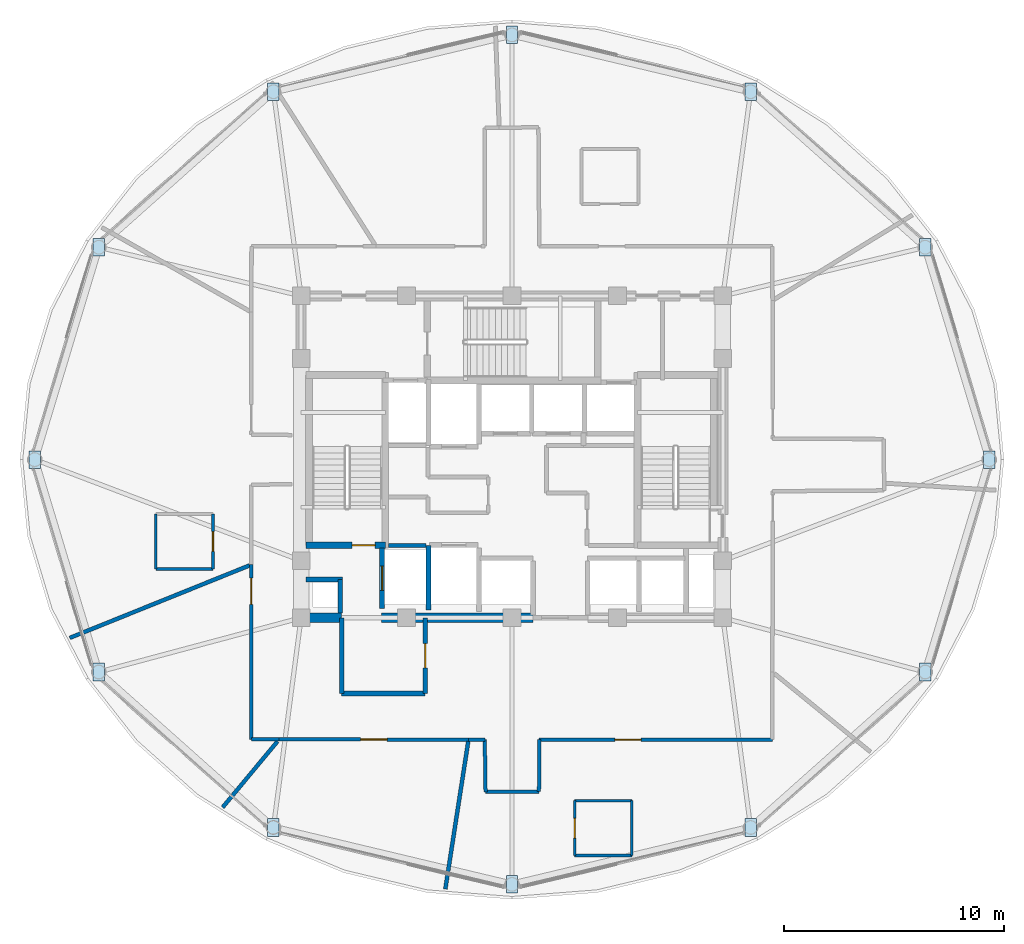
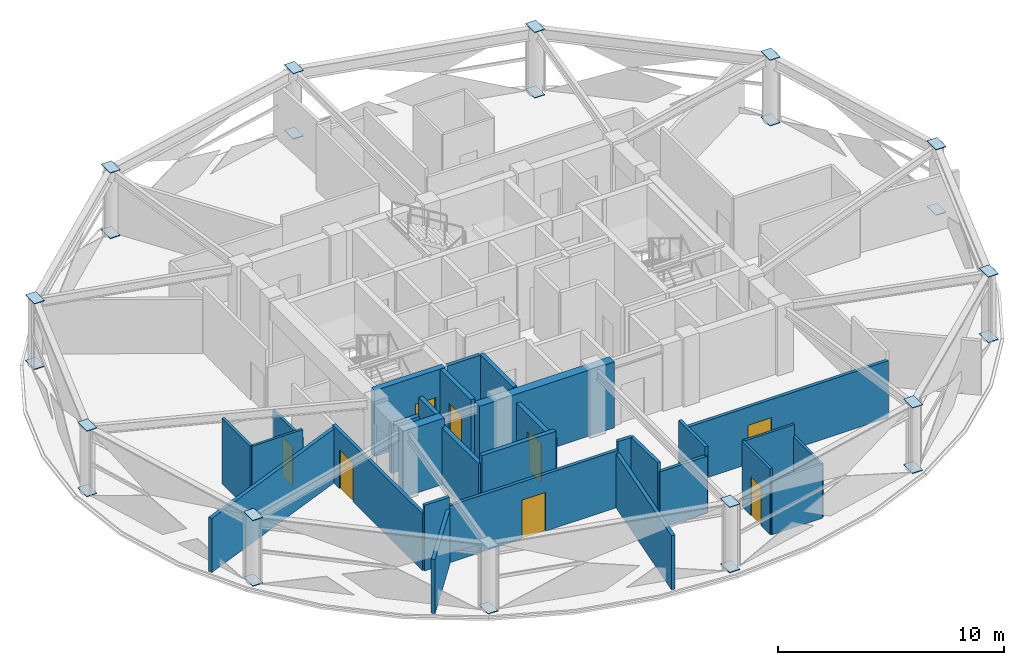
# One storey, part 21 of 28: 29 walls, 23 plates, 8 doors, 8 openings.
"""IFC4 building model written with IfcOpenShell, lengths in metres."""

from ifc_helpers import new_model, si_unit, direction, frame, frame_2d, origin, place, context, subcontext, project, spatial, polyline, rectangle, outline, extrude, material, layer, layer_set, type_object, element, fill, save


model = new_model("IFC4")

# Units and contexts
model_context = context("Model", 3, precision=1e-05, world=origin(), true_north=direction((0.0, 1.0)))
body_context = subcontext(model_context, "Body", "Model", "MODEL_VIEW")
ifc_project = project(units=[si_unit("LENGTHUNIT", "METRE"), si_unit("AREAUNIT", "SQUARE_METRE"), si_unit("VOLUMEUNIT", "CUBIC_METRE"), si_unit("PLANEANGLEUNIT", "RADIAN"), si_unit("MASSUNIT", "GRAM", prefix="KILO")], contexts=[model_context])

# Site, building, storey
site_placement = place(None, origin())
site = spatial("IfcSite", under=ifc_project, at=site_placement, CompositionType="ELEMENT")
building_placement = place(site_placement, origin())
building = spatial("IfcBuilding", under=site, at=building_placement, Name="Vantalir Tower", CompositionType="ELEMENT")
storey_placement = place(building_placement, frame((0.0, 0.0, 246.14990234375)))
storey = spatial("IfcBuildingStorey", under=building, at=storey_placement, Name="L62", CompositionType="ELEMENT", Elevation=246.14990234375)

# Plates
ifc_material_1 = material(Name="Steel S460", Category="steel")
ifc_layer_1 = layer(ifc_material_1, 0.031982421875)
ifc_layer_set_1 = layer_set([ifc_layer_1], Name="Steel S460")
plate_type = type_object("IfcPlateType", Name="PLT-KN-Z3", PredefinedType="USERDEFINED", material=ifc_layer_set_1)
for number, where, z_axis, x_axis, name in (
    (1, (52.9580078125, 25.39990234375, 3.593994140625), (0.0, 0.0, 1.0), (0.0, -1.0, 0.0), "L62 Ring Column Top Cap RC01"),
    (2, (52.9580078125, 25.39990234375, 0.052978515625), (0.0, 0.0, 1.0), (0.0, -1.0, 0.0), "L62 Ring Column Base Cap RC01"),
    (3, (50.048095703125, 35.06591796875, 3.593994140625), (0.0, 0.0, 1.0), (0.0, -1.0, 0.0), "L62 Ring Column Top Cap RC02"),
    (4, (50.048095703125, 35.06591796875, 0.052978515625), (0.0, 0.0, 1.0), (0.0, -1.0, 0.0), "L62 Ring Column Base Cap RC02"),
):
    element("IfcPlate", number, at=place(storey_placement, frame(where, z_axis=z_axis, x_axis=x_axis)), inside=storey, type_object=plate_type, Name=name, ObjectType="FLANGE_PLATE", PredefinedType="USERDEFINED", context=body_context, shape_type="SweptSolid", body=[
        extrude(outline(polyline([(0.0, 0.0), (0.7998046875, 0.0), (0.7998046875, 0.52001953125), (0.0, 0.52001953125), (0.0, 0.0)])), origin(), (0.0, 0.0, -1.0), 0.031982421875),
    ])
for number, where, z_axis, x_axis, name in (
    (5, (42.09912109375, 42.14306640625, 3.593994140625), (0.0, 0.0, 1.0), (0.0, -1.0, 0.0), "L62 Ring Column Top Cap RC03"),
    (6, (42.09912109375, 42.14306640625, 0.052978515625), (0.0, 0.0, 1.0), (0.0, -1.0, 0.0), "L62 Ring Column Base Cap RC03"),
):
    element("IfcPlate", number, at=place(storey_placement, frame(where, z_axis=z_axis, x_axis=x_axis)), inside=storey, type_object=plate_type, Name=name, ObjectType="FLANGE_PLATE", PredefinedType="USERDEFINED", context=body_context, shape_type="SweptSolid", body=[
        extrude(outline(polyline([(0.0, 0.0), (0.800048828125, 0.0), (0.800048828125, 0.519775390625), (0.0, 0.519775390625), (0.0, 0.0)])), origin(), (0.0, 0.0, -1.0), 0.031982421875),
    ])
for number, where, z_axis, x_axis, name in (
    (7, (31.239990234375, 44.73291015625, 3.593994140625), (0.0, 0.0, 1.0), (0.0, -1.0, 0.0), "L62 Ring Column Top Cap RC04"),
    (8, (31.239990234375, 44.73291015625, 0.052978515625), (0.0, 0.0, 1.0), (0.0, -1.0, 0.0), "L62 Ring Column Base Cap RC04"),
):
    element("IfcPlate", number, at=place(storey_placement, frame(where, z_axis=z_axis, x_axis=x_axis)), inside=storey, type_object=plate_type, Name=name, ObjectType="FLANGE_PLATE", PredefinedType="USERDEFINED", context=body_context, shape_type="SweptSolid", body=[
        extrude(outline(polyline([(0.0, 0.0), (0.7998046875, 0.0), (0.7998046875, 0.52001953125), (0.0, 0.52001953125), (0.0, 0.0)])), origin(), (0.0, 0.0, -1.0), 0.031982421875),
    ])
for number, where, z_axis, x_axis, name in (
    (9, (20.381103515625, 42.14306640625, 3.593994140625), (0.0, 0.0, 1.0), (0.0, -1.0, 0.0), "L62 Ring Column Top Cap RC05"),
    (10, (20.381103515625, 42.14306640625, 0.052978515625), (0.0, 0.0, 1.0), (0.0, -1.0, 0.0), "L62 Ring Column Base Cap RC05"),
):
    element("IfcPlate", number, at=place(storey_placement, frame(where, z_axis=z_axis, x_axis=x_axis)), inside=storey, type_object=plate_type, Name=name, ObjectType="FLANGE_PLATE", PredefinedType="USERDEFINED", context=body_context, shape_type="SweptSolid", body=[
        extrude(outline(polyline([(0.0, 0.0), (0.800048828125, 0.0), (0.800048828125, 0.519775390625), (0.0, 0.519775390625), (0.0, 0.0)])), origin(), (0.0, 0.0, -1.0), 0.031982421875),
    ])
for number, where, z_axis, x_axis, name in (
    (11, (12.431884765625, 35.06591796875, 3.593994140625), (0.0, 0.0, 1.0), (0.0, -1.0, 0.0), "L62 Ring Column Top Cap RC06"),
    (12, (12.431884765625, 35.06591796875, 0.052978515625), (0.0, 0.0, 1.0), (0.0, -1.0, 0.0), "L62 Ring Column Base Cap RC06"),
    (13, (9.52197265625, 25.39990234375, 3.593994140625), (0.0, 0.0, 1.0), (0.0, -1.0, 0.0), "L62 Ring Column Top Cap RC07"),
    (14, (9.52197265625, 25.39990234375, 0.052978515625), (0.0, 0.0, 1.0), (0.0, -1.0, 0.0), "L62 Ring Column Base Cap RC07"),
    (15, (12.431884765625, 15.73291015625, 3.593994140625), (0.0, 0.0, 1.0), (0.0, -1.0, 0.0), "L62 Ring Column Top Cap RC08"),
    (16, (12.431884765625, 15.73291015625, 0.052978515625), (0.0, 0.0, 1.0), (0.0, -1.0, 0.0), "L62 Ring Column Base Cap RC08"),
):
    element("IfcPlate", number, at=place(storey_placement, frame(where, z_axis=z_axis, x_axis=x_axis)), inside=storey, type_object=plate_type, Name=name, ObjectType="FLANGE_PLATE", PredefinedType="USERDEFINED", context=body_context, shape_type="SweptSolid", body=[
        extrude(outline(polyline([(0.0, 0.0), (0.7998046875, 0.0), (0.7998046875, 0.52001953125), (0.0, 0.52001953125), (0.0, 0.0)])), origin(), (0.0, 0.0, -1.0), 0.031982421875),
    ])
plate_placement = place(storey_placement, frame((20.381103515625, 8.656982421875, 0.052978515625), z_axis=(0.0, 0.0, 1.0), x_axis=(0.0, -1.0, 0.0)))
element("IfcPlate", 17, at=plate_placement, inside=storey, type_object=plate_type, Name="L62 Ring Column Base Cap RC09", ObjectType="FLANGE_PLATE", PredefinedType="USERDEFINED", context=body_context, shape_type="SweptSolid", body=[
    extrude(outline(polyline([(0.0, 0.0), (0.800048828125, 0.0), (0.800048828125, 0.519775390625), (0.0, 0.519775390625), (0.0, 0.0)])), origin(), (0.0, 0.0, -1.0), 0.031982421875),
])
for number, where, z_axis, x_axis, name in (
    (18, (31.239990234375, 6.06689453125, 3.593994140625), (0.0, 0.0, 1.0), (0.0, -1.0, 0.0), "L62 Ring Column Top Cap RC10"),
    (19, (31.239990234375, 6.06689453125, 0.052978515625), (0.0, 0.0, 1.0), (0.0, -1.0, 0.0), "L62 Ring Column Base Cap RC10"),
):
    element("IfcPlate", number, at=place(storey_placement, frame(where, z_axis=z_axis, x_axis=x_axis)), inside=storey, type_object=plate_type, Name=name, ObjectType="FLANGE_PLATE", PredefinedType="USERDEFINED", context=body_context, shape_type="SweptSolid", body=[
        extrude(outline(polyline([(0.0, 0.0), (0.7998046875, 0.0), (0.7998046875, 0.52001953125), (0.0, 0.52001953125), (0.0, 0.0)])), origin(), (0.0, 0.0, -1.0), 0.031982421875),
    ])
for number, where, z_axis, x_axis, name in (
    (20, (42.09912109375, 8.656982421875, 3.593994140625), (0.0, 0.0, 1.0), (0.0, -1.0, 0.0), "L62 Ring Column Top Cap RC11"),
    (21, (42.09912109375, 8.656982421875, 0.052978515625), (0.0, 0.0, 1.0), (0.0, -1.0, 0.0), "L62 Ring Column Base Cap RC11"),
):
    element("IfcPlate", number, at=place(storey_placement, frame(where, z_axis=z_axis, x_axis=x_axis)), inside=storey, type_object=plate_type, Name=name, ObjectType="FLANGE_PLATE", PredefinedType="USERDEFINED", context=body_context, shape_type="SweptSolid", body=[
        extrude(outline(polyline([(0.0, 0.0), (0.800048828125, 0.0), (0.800048828125, 0.519775390625), (0.0, 0.519775390625), (0.0, 0.0)])), origin(), (0.0, 0.0, -1.0), 0.031982421875),
    ])
for number, where, z_axis, x_axis, name in (
    (22, (50.048095703125, 15.73291015625, 3.593994140625), (0.0, 0.0, 1.0), (0.0, -1.0, 0.0), "L62 Ring Column Top Cap RC12"),
    (23, (50.048095703125, 15.73291015625, 0.052978515625), (0.0, 0.0, 1.0), (0.0, -1.0, 0.0), "L62 Ring Column Base Cap RC12"),
):
    element("IfcPlate", number, at=place(storey_placement, frame(where, z_axis=z_axis, x_axis=x_axis)), inside=storey, type_object=plate_type, Name=name, ObjectType="FLANGE_PLATE", PredefinedType="USERDEFINED", context=body_context, shape_type="SweptSolid", body=[
        extrude(outline(polyline([(0.0, 0.0), (0.7998046875, 0.0), (0.7998046875, 0.52001953125), (0.0, 0.52001953125), (0.0, 0.0)])), origin(), (0.0, 0.0, -1.0), 0.031982421875),
    ])

# Walls
ifc_material_2 = material(Name="Moisture-resistant en-suite partition", Category="gypsum")
ifc_layer_2 = layer(ifc_material_2, 0.125)
ifc_layer_set_2 = layer_set([ifc_layer_2], Name="Moisture-resistant en-suite partition")
wall_type_1 = type_object("IfcWallType", Name="WL-BATH-125", PredefinedType="PARTITIONING", material=ifc_layer_set_2)
wall_1_placement = place(storey_placement, frame((15.2900390625, 20.02587890625, 0.0), z_axis=(0.0, 0.0, 1.0), x_axis=(1.0, 0.0, 0.0)))
element("IfcWall", 24, at=wall_1_placement, inside=storey, type_object=wall_type_1, Name="L62 En-suite 04 South Wall", PredefinedType="PARTITIONING", context=body_context, shape_type="SweptSolid", body=[
    extrude(rectangle(XDim=2.599853515625, YDim=0.125, at=frame_2d((1.2998046875, 0.0))), origin(), (0.0, 0.0, 1.0), 3.550048828125),
])
wall_2_placement = place(storey_placement, frame((15.2900390625, 20.02587890625, 0.0), z_axis=(0.0, 0.0, 1.0), x_axis=(0.0, 1.0, 0.0)))
element("IfcWall", 25, at=wall_2_placement, inside=storey, type_object=wall_type_1, Name="L62 En-suite 04 West Wall", PredefinedType="PARTITIONING", context=body_context, shape_type="SweptSolid", body=[
    extrude(rectangle(XDim=2.5, YDim=0.125, at=frame_2d((1.25, 0.0))), origin(), (0.0, 0.0, 1.0), 3.550048828125),
])

# Wall, opening, door
wall_3_placement = place(storey_placement, frame((17.889892578125, 20.02587890625, 0.0), z_axis=(0.0, 0.0, 1.0), x_axis=(0.0, 1.0, 0.0)))
wall_3 = element("IfcWall", 26, at=wall_3_placement, inside=storey, type_object=wall_type_1, Name="L62 En-suite 04 East Wall", PredefinedType="PARTITIONING", context=body_context, shape_type="SweptSolid", body=[
    extrude(rectangle(XDim=2.5, YDim=0.125, at=frame_2d((1.25, 0.0))), origin(), (0.0, 0.0, 1.0), 3.0810546875),
])
opening_1_placement = place(wall_3_placement, frame((0.800048828125, 0.0, 0.0)))
opening_1 = element("IfcOpeningElement", 27, at=opening_1_placement, cuts=wall_3, Name="Opening D-WC", PredefinedType="OPENING", context=body_context, shape_type="SweptSolid", body=[
    extrude(rectangle(XDim=0.89990234375, YDim=2.10009765625, at=frame_2d((0.449951171875, 1.050048828125))), frame((0.0, 0.072509765625, 0.0), z_axis=(0.0, -1.0, 0.0), x_axis=(1.0, 0.0, 0.0)), (0.0, 0.0, 1.0), 0.14501953125),
])
ifc_material_3 = material(Name="Moisture-resistant hardwood door", Category="wood")
door_type_1 = type_object("IfcDoorType", Name="DR-ENSUITE-900", OperationType="NOTDEFINED", PredefinedType="DOOR", material=ifc_material_3)
door_1_placement = place(opening_1_placement, origin())
door_1 = element("IfcDoor", 28, at=door_1_placement, inside=storey, type_object=door_type_1, Name="L62 En-suite 04 Door", OperationType="SINGLE_SWING_LEFT", OverallHeight=2.10009765625, OverallWidth=0.89990234375, PredefinedType="DOOR", context=body_context, shape_type="SweptSolid", body=[
    extrude(rectangle(XDim=0.89990234375, YDim=2.10009765625, at=frame_2d((0.449951171875, 1.050048828125))), frame((0.0, 0.02490234375, 0.0), z_axis=(0.0, -1.0, 0.0), x_axis=(1.0, 0.0, 0.0)), (0.0, 0.0, 1.0), 0.050048828125),
])
fill(opening_1, door_1)

# Walls
wall_4_placement = place(storey_placement, frame((34.35400390625, 6.97607421875, 0.0), z_axis=(0.0, 0.0, 1.0), x_axis=(1.0, 0.0, 0.0)))
element("IfcWall", 29, at=wall_4_placement, inside=storey, type_object=wall_type_1, Name="L62 En-suite 07 South Wall", PredefinedType="PARTITIONING", context=body_context, shape_type="SweptSolid", body=[
    extrude(rectangle(XDim=2.60009765625, YDim=0.125, at=frame_2d((1.300048828125, 0.0))), origin(), (0.0, 0.0, 1.0), 2.925048828125),
])
wall_5_placement = place(storey_placement, frame((34.35400390625, 9.47607421875, 0.0), z_axis=(0.0, 0.0, 1.0), x_axis=(1.0, 0.0, 0.0)))
element("IfcWall", 30, at=wall_5_placement, inside=storey, type_object=wall_type_1, Name="L62 En-suite 07 North Wall", PredefinedType="PARTITIONING", context=body_context, shape_type="SweptSolid", body=[
    extrude(rectangle(XDim=2.60009765625, YDim=0.125, at=frame_2d((1.300048828125, 0.0))), origin(), (0.0, 0.0, 1.0), 3.550048828125),
])

# Wall, opening, door
wall_6_placement = place(storey_placement, frame((34.35400390625, 6.97607421875, 0.0), z_axis=(0.0, 0.0, 1.0), x_axis=(0.0, 1.0, 0.0)))
wall_6 = element("IfcWall", 31, at=wall_6_placement, inside=storey, type_object=wall_type_1, Name="L62 En-suite 07 West Wall", PredefinedType="PARTITIONING", context=body_context, shape_type="SweptSolid", body=[
    extrude(rectangle(XDim=2.5, YDim=0.125, at=frame_2d((1.25, 0.0))), origin(), (0.0, 0.0, 1.0), 3.550048828125),
])
opening_2_placement = place(wall_6_placement, frame((0.800048828125, 0.0, 0.0)))
opening_2 = element("IfcOpeningElement", 32, at=opening_2_placement, cuts=wall_6, Name="Opening D-WC", PredefinedType="OPENING", context=body_context, shape_type="SweptSolid", body=[
    extrude(rectangle(XDim=0.89990234375, YDim=2.10009765625, at=frame_2d((0.449951171875, 1.050048828125))), frame((0.0, 0.072509765625, 0.0), z_axis=(0.0, -1.0, 0.0), x_axis=(1.0, 0.0, 0.0)), (0.0, 0.0, 1.0), 0.14501953125),
])
door_2_placement = place(opening_2_placement, frame((0.89990234375, 0.0, 0.0), z_axis=(0.0, 0.0, 1.0), x_axis=(-1.0, 0.0, 0.0)))
door_2 = element("IfcDoor", 33, at=door_2_placement, inside=storey, type_object=door_type_1, Name="L62 En-suite 07 Door", OperationType="SINGLE_SWING_RIGHT", OverallHeight=2.10009765625, OverallWidth=0.89990234375, PredefinedType="DOOR", context=body_context, shape_type="SweptSolid", body=[
    extrude(rectangle(XDim=0.89990234375, YDim=2.10009765625, at=frame_2d((0.449951171875, 1.050048828125))), frame((0.0, 0.02490234375, 0.0), z_axis=(0.0, -1.0, 0.0), x_axis=(1.0, 0.0, 0.0)), (0.0, 0.0, 1.0), 0.050048828125),
])
fill(opening_2, door_2)

# Walls
wall_7_placement = place(storey_placement, frame((36.9541015625, 6.97607421875, 0.0), z_axis=(0.0, 0.0, 1.0), x_axis=(0.0, 1.0, 0.0)))
element("IfcWall", 34, at=wall_7_placement, inside=storey, type_object=wall_type_1, Name="L62 En-suite 07 East Wall", PredefinedType="PARTITIONING", context=body_context, shape_type="SweptSolid", body=[
    extrude(rectangle(XDim=2.5, YDim=0.125, at=frame_2d((1.25, 0.0))), origin(), (0.0, 0.0, 1.0), 2.925048828125),
])
ifc_material_4 = material(Name="Concrete C50/60", Category="concrete")
ifc_layer_3 = layer(ifc_material_4, 0.449951171875)
ifc_layer_set_3 = layer_set([ifc_layer_3], Name="Concrete C50/60")
wall_type_2 = type_object("IfcWallType", Name="WL-CORE-450", PredefinedType="SHEAR", material=ifc_layer_set_3)
wall_8_placement = place(storey_placement, frame((21.675048828125, 17.800048828125, 0.0), z_axis=(0.0, 0.0, 1.0), x_axis=(1.0, 0.0, 0.0)))
element("IfcWall", 35, at=wall_8_placement, inside=storey, type_object=wall_type_2, Name="L62 Core Shear Wall South-West", PredefinedType="SHEAR", context=body_context, shape_type="SweptSolid", body=[
    extrude(rectangle(XDim=2.074951171875, YDim=0.449951171875, at=frame_2d((1.03759765625, 0.0))), origin(), (0.0, 0.0, 1.0), 3.570068359375),
])
wall_9_placement = place(storey_placement, frame((25.550048828125, 17.800048828125, 0.0), z_axis=(0.0, 0.0, 1.0), x_axis=(1.0, 0.0, 0.0)))
element("IfcWall", 36, at=wall_9_placement, inside=storey, type_object=wall_type_2, Name="L62 Core Shear Wall South-Mid", PredefinedType="SHEAR", context=body_context, shape_type="SweptSolid", body=[
    extrude(rectangle(XDim=6.89990234375, YDim=0.449951171875, at=frame_2d((3.449951171875, 0.0))), origin(), (0.0, 0.0, 1.0), 3.570068359375),
])

# Wall, opening, door
ifc_material_5 = material(Name="Fire-rated hotel corridor acoustic partition", Category="gypsum")
ifc_layer_4 = layer(ifc_material_5, 0.159912109375)
ifc_layer_set_4 = layer_set([ifc_layer_4], Name="Fire-rated hotel corridor acoustic partition")
wall_type_3 = type_object("IfcWallType", Name="WL-CORR-160", PredefinedType="PARTITIONING", material=ifc_layer_set_4)
wall_10_placement = place(storey_placement, frame((43.35009765625, 12.259033203125, 0.0), z_axis=(0.0, 0.0, 1.0), x_axis=(-0.999999637579, -0.000851376852, 0.0)))
wall_10 = element("IfcWall", 37, at=wall_10_placement, inside=storey, type_object=wall_type_3, Name="L62 Corridor Partition 18", PredefinedType="PARTITIONING", context=body_context, shape_type="SweptSolid", body=[
    extrude(rectangle(XDim=10.610107421875, YDim=0.159912109375, at=frame_2d((5.30517578125, 0.0))), origin(), (0.0, 0.0, 1.0), 3.0810546875),
])
opening_3_placement = place(wall_10_placement, frame((5.971923828125, 0.0, 0.0)))
opening_3 = element("IfcOpeningElement", 38, at=opening_3_placement, cuts=wall_10, Name="Opening D-STE", PredefinedType="OPENING", context=body_context, shape_type="SweptSolid", body=[
    extrude(rectangle(XDim=1.199951171875, YDim=2.10009765625, at=frame_2d((0.60009765625, 1.050048828125))), frame((0.0, 0.08984375, 0.0), z_axis=(0.0, -1.0, 0.0), x_axis=(1.0, 0.0, 0.0)), (0.0, 0.0, 1.0), 0.179931640625),
])
ifc_material_6 = material(Name="Solid-core teak veneer suite entrance door", Category="wood")
door_type_2 = type_object("IfcDoorType", Name="DR-SUITE-ENTRY-1200", OperationType="NOTDEFINED", PredefinedType="DOOR", material=ifc_material_6)
door_3_placement = place(opening_3_placement, origin())
door_3 = element("IfcDoor", 39, at=door_3_placement, inside=storey, type_object=door_type_2, Name="L62 Corner Panorama Hotel Suite 07 Door", OperationType="SINGLE_SWING_RIGHT", OverallHeight=2.10009765625, OverallWidth=1.199951171875, PredefinedType="DOOR", context=body_context, shape_type="SweptSolid", body=[
    extrude(rectangle(XDim=1.199951171875, YDim=2.10009765625, at=frame_2d((0.60009765625, 1.050048828125))), frame((0.0, 0.02490234375, 0.0), z_axis=(0.0, -1.0, 0.0), x_axis=(1.0, 0.0, 0.0)), (0.0, 0.0, 1.0), 0.050048828125),
])
fill(opening_3, door_3)

# Walls
wall_11_placement = place(storey_placement, frame((32.739990234375, 12.25, 0.0), z_axis=(0.0, 0.0, 1.0), x_axis=(-0.005066629207, -0.999987164552, 0.0)))
element("IfcWall", 40, at=wall_11_placement, inside=storey, type_object=wall_type_3, Name="L62 Corridor Partition 19", PredefinedType="PARTITIONING", context=body_context, shape_type="SweptSolid", body=[
    extrude(rectangle(XDim=2.361083984375, YDim=0.159912109375, at=frame_2d((1.1806640625, 0.0))), origin(), (0.0, 0.0, 1.0), 3.550048828125),
])
wall_12_placement = place(storey_placement, frame((32.72802734375, 9.888916015625, 0.0), z_axis=(0.0, 0.0, 1.0), x_axis=(-0.999987903459, -0.004918631527, 0.0)))
element("IfcWall", 41, at=wall_12_placement, inside=storey, type_object=wall_type_3, Name="L62 Corridor Partition 20", PredefinedType="PARTITIONING", context=body_context, shape_type="SweptSolid", body=[
    extrude(rectangle(XDim=2.43212890625, YDim=0.159912109375, at=frame_2d((1.216064453125, 0.0))), origin(), (0.0, 0.0, 1.0), 3.0810546875),
])
wall_13_placement = place(storey_placement, frame((30.2958984375, 9.876953125, 0.0), z_axis=(0.0, 0.0, 1.0), x_axis=(-0.015121727576, 0.999885660141, 0.0)))
element("IfcWall", 42, at=wall_13_placement, inside=storey, type_object=wall_type_3, Name="L62 Corridor Partition 21", PredefinedType="PARTITIONING", context=body_context, shape_type="SweptSolid", body=[
    extrude(rectangle(XDim=2.373291015625, YDim=0.159912109375, at=frame_2d((1.1865234375, 0.0))), origin(), (0.0, 0.0, 1.0), 3.550048828125),
])
wall_14_placement = place(storey_placement, frame((30.260009765625, 12.25, 0.0), z_axis=(0.0, 0.0, 1.0), x_axis=(-0.999999126899, 0.001321439216, 0.0)))
element("IfcWall", 43, at=wall_14_placement, inside=storey, type_object=wall_type_3, Name="L62 Corridor Partition 22", PredefinedType="PARTITIONING", context=body_context, shape_type="SweptSolid", body=[
    extrude(rectangle(XDim=0.739013671875, YDim=0.159912109375, at=frame_2d((0.36962890625, 0.0))), origin(), (0.0, 0.0, 1.0), 3.550048828125),
])

# Wall, opening, door
wall_15_placement = place(storey_placement, frame((29.52099609375, 12.2509765625, 0.0), z_axis=(0.0, 0.0, 1.0), x_axis=(-0.999997801115, 0.002097084968, 0.0)))
wall_15 = element("IfcWall", 44, at=wall_15_placement, inside=storey, type_object=wall_type_3, Name="L62 Corridor Partition 23", PredefinedType="PARTITIONING", context=body_context, shape_type="SweptSolid", body=[
    extrude(rectangle(XDim=8.614990234375, YDim=0.159912109375, at=frame_2d((4.3076171875, 0.0))), origin(), (0.0, 0.0, 1.0), 3.0810546875),
])
opening_4_placement = place(wall_15_placement, frame((3.7080078125, 0.0, 0.0)))
opening_4 = element("IfcOpeningElement", 45, at=opening_4_placement, cuts=wall_15, Name="Opening D-STE", PredefinedType="OPENING", context=body_context, shape_type="SweptSolid", body=[
    extrude(rectangle(XDim=1.199951171875, YDim=2.10009765625, at=frame_2d((0.60009765625, 1.050048828125))), frame((0.0, 0.08984375, 0.0), z_axis=(0.0, -1.0, 0.0), x_axis=(1.0, 0.0, 0.0)), (0.0, 0.0, 1.0), 0.179931640625),
])
door_4_placement = place(opening_4_placement, origin())
door_4 = element("IfcDoor", 46, at=door_4_placement, inside=storey, type_object=door_type_2, Name="L62 Executive Sky Boardroom 06 Door", OperationType="SINGLE_SWING_LEFT", OverallHeight=2.10009765625, OverallWidth=1.199951171875, PredefinedType="DOOR", context=body_context, shape_type="SweptSolid", body=[
    extrude(rectangle(XDim=1.199951171875, YDim=2.10009765625, at=frame_2d((0.60009765625, 1.050048828125))), frame((0.0, 0.02490234375, 0.0), z_axis=(0.0, -1.0, 0.0), x_axis=(1.0, 0.0, 0.0)), (0.0, 0.0, 1.0), 0.050048828125),
])
fill(opening_4, door_4)

# Wall
wall_16_placement = place(storey_placement, frame((20.906005859375, 12.26904296875, 0.0), z_axis=(0.0, 0.0, 1.0), x_axis=(-0.999998810172, 0.001542612897, 0.0)))
element("IfcWall", 47, at=wall_16_placement, inside=storey, type_object=wall_type_3, Name="L62 Corridor Partition 24", PredefinedType="PARTITIONING", context=body_context, shape_type="SweptSolid", body=[
    extrude(rectangle(XDim=1.26611328125, YDim=0.159912109375, at=frame_2d((0.633056640625, 0.0))), origin(), (0.0, 0.0, 1.0), 3.550048828125),
])

# Wall, opening, door
wall_17_placement = place(storey_placement, frame((19.639892578125, 12.27099609375, 0.0), z_axis=(0.0, 0.0, 1.0), x_axis=(-0.000368697551, 0.999999932031, 0.0)))
wall_17 = element("IfcWall", 48, at=wall_17_placement, inside=storey, type_object=wall_type_3, Name="L62 Corridor Partition 25", PredefinedType="PARTITIONING", context=body_context, shape_type="SweptSolid", body=[
    extrude(rectangle(XDim=7.946044921875, YDim=0.159912109375, at=frame_2d((3.97314453125, 0.0))), origin(), (0.0, 0.0, 1.0), 3.0810546875),
])
opening_5_placement = place(wall_17_placement, frame((6.137939453125, 0.0, 0.0)))
opening_5 = element("IfcOpeningElement", 49, at=opening_5_placement, cuts=wall_17, Name="Opening D-STE", PredefinedType="OPENING", context=body_context, shape_type="SweptSolid", body=[
    extrude(rectangle(XDim=1.199951171875, YDim=2.10009765625, at=frame_2d((0.60009765625, 1.050048828125))), frame((0.0, 0.08984375, 0.0), z_axis=(0.0, -1.0, 0.0), x_axis=(1.0, 0.0, 0.0)), (0.0, 0.0, 1.0), 0.179931640625),
])
door_5_placement = place(opening_5_placement, origin())
door_5 = element("IfcDoor", 50, at=door_5_placement, inside=storey, type_object=door_type_2, Name="L62 Club Reading Lounge 05 Door", OperationType="SINGLE_SWING_RIGHT", OverallHeight=2.10009765625, OverallWidth=1.199951171875, PredefinedType="DOOR", context=body_context, shape_type="SweptSolid", body=[
    extrude(rectangle(XDim=1.199951171875, YDim=2.10009765625, at=frame_2d((0.60009765625, 1.050048828125))), frame((0.0, 0.02490234375, 0.0), z_axis=(0.0, -1.0, 0.0), x_axis=(1.0, 0.0, 0.0)), (0.0, 0.0, 1.0), 0.050048828125),
])
fill(opening_5, door_5)

# Walls
ifc_material_7 = material(Name="Concrete blockwork with fireboard lining", Category="masonry")
ifc_layer_5 = layer(ifc_material_7, 0.219970703125)
ifc_layer_set_5 = layer_set([ifc_layer_5], Name="Concrete blockwork with fireboard lining")
wall_type_4 = type_object("IfcWallType", Name="WL-FFL-220", PredefinedType="PARTITIONING", material=ifc_layer_set_5)
wall_18_placement = place(storey_placement, frame((23.679931640625, 18.02490234375, 0.0), z_axis=(0.0, 0.0, 1.0), x_axis=(0.0, 1.0, 0.0)))
element("IfcWall", 51, at=wall_18_placement, inside=storey, type_object=wall_type_4, Name="L62 West MEP Riser Wall E", PredefinedType="PARTITIONING", context=body_context, shape_type="SweptSolid", body=[
    extrude(rectangle(XDim=1.525146484375, YDim=0.219970703125, at=frame_2d((0.7626953125, 0.0))), origin(), (0.0, 0.0, 1.0), 3.550048828125),
])
wall_19_placement = place(storey_placement, frame((22.125, 19.550048828125, 0.0), z_axis=(0.0, 0.0, 1.0), x_axis=(1.0, 0.0, 0.0)))
element("IfcWall", 52, at=wall_19_placement, inside=storey, type_object=wall_type_4, Name="L62 West MEP Riser Wall N", PredefinedType="PARTITIONING", context=body_context, shape_type="SweptSolid", body=[
    extrude(rectangle(XDim=1.6650390625, YDim=0.219970703125, at=frame_2d((0.83251953125, 0.0))), origin(), (0.0, 0.0, 1.0), 2.59521484375),
])

# Wall, opening, door
wall_20_placement = place(storey_placement, frame((25.590087890625, 18.219970703125, 0.0), z_axis=(0.0, 0.0, 1.0), x_axis=(0.0, 1.0, 0.0)))
wall_20 = element("IfcWall", 53, at=wall_20_placement, inside=storey, type_object=wall_type_4, Name="L62 Lift FL1 Shaft Front Wall", PredefinedType="PARTITIONING", context=body_context, shape_type="SweptSolid", body=[
    extrude(rectangle(XDim=2.760009765625, YDim=0.219970703125, at=frame_2d((1.3798828125, 0.0))), origin(), (0.0, 0.0, 1.0), 3.550048828125),
])
opening_6_placement = place(wall_20_placement, frame((0.830078125, 0.0, 0.0)))
opening_6 = element("IfcOpeningElement", 54, at=opening_6_placement, cuts=wall_20, Name="Opening LD-FL1", PredefinedType="OPENING", context=body_context, shape_type="SweptSolid", body=[
    extrude(rectangle(XDim=1.10009765625, YDim=2.199951171875, at=frame_2d((0.550048828125, 1.10009765625))), frame((0.0, 0.119873046875, 0.0), z_axis=(0.0, -1.0, 0.0), x_axis=(1.0, 0.0, 0.0)), (0.0, 0.0, 1.0), 0.239990234375),
])
ifc_material_8 = material(Name="Brushed stainless-steel sliding lift landing door", Category="steel")
door_type_3 = type_object("IfcDoorType", Name="DR-LIFT-LANDING-1100", OperationType="DOUBLE_DOOR_SLIDING", PredefinedType="DOOR", material=ifc_material_8)
door_6_placement = place(opening_6_placement, origin())
door_6 = element("IfcDoor", 55, at=door_6_placement, inside=storey, type_object=door_type_3, Name="L62 Lift Landing Door FL1", OperationType="DOUBLE_DOOR_SLIDING", OverallHeight=2.199951171875, OverallWidth=1.10009765625, PredefinedType="DOOR", context=body_context, shape_type="SweptSolid", body=[
    extrude(rectangle(XDim=1.10009765625, YDim=2.199951171875, at=frame_2d((0.550048828125, 1.10009765625))), frame((0.0, 0.02490234375, 0.0), z_axis=(0.0, -1.0, 0.0), x_axis=(1.0, 0.0, 0.0)), (0.0, 0.0, 1.0), 0.050048828125),
])
fill(opening_6, door_6)

# Walls
wall_21_placement = place(storey_placement, frame((27.699951171875, 18.14990234375, 0.0), z_axis=(0.0, 0.0, 1.0), x_axis=(0.0, 1.0, 0.0)))
element("IfcWall", 56, at=wall_21_placement, inside=storey, type_object=wall_type_4, Name="L62 Fire Lift FL1 Dividing Wall", PredefinedType="PARTITIONING", context=body_context, shape_type="SweptSolid", body=[
    extrude(rectangle(XDim=2.9501953125, YDim=0.219970703125, at=frame_2d((1.47509765625, 0.0))), origin(), (0.0, 0.0, 1.0), 3.550048828125),
])
wall_22_placement = place(storey_placement, frame((23.75, 14.35009765625, 0.0), z_axis=(0.0, 0.0, 1.0), x_axis=(0.0, 1.0, 0.0)))
element("IfcWall", 57, at=wall_22_placement, inside=storey, type_object=wall_type_4, Name="L62 Firefighting Lobby West Outer W", PredefinedType="PARTITIONING", context=body_context, shape_type="SweptSolid", body=[
    extrude(rectangle(XDim=3.449951171875, YDim=0.219970703125, at=frame_2d((1.72509765625, 0.0))), origin(), (0.0, 0.0, 1.0), 3.0810546875),
])
wall_23_placement = place(storey_placement, frame((23.75, 14.35009765625, 0.0), z_axis=(0.0, 0.0, 1.0), x_axis=(1.0, 0.0, 0.0)))
element("IfcWall", 58, at=wall_23_placement, inside=storey, type_object=wall_type_4, Name="L62 Firefighting Lobby West South Wall", PredefinedType="PARTITIONING", context=body_context, shape_type="SweptSolid", body=[
    extrude(rectangle(XDim=3.800048828125, YDim=0.219970703125, at=frame_2d((1.89990234375, 0.0))), origin(), (0.0, 0.0, 1.0), 3.550048828125),
])

# Wall, opening, door
wall_24_placement = place(storey_placement, frame((27.550048828125, 14.35009765625, 0.0), z_axis=(0.0, 0.0, 1.0), x_axis=(0.0, 1.0, 0.0)))
wall_24 = element("IfcWall", 59, at=wall_24_placement, inside=storey, type_object=wall_type_4, Name="L62 Firefighting Lobby West East Wall", PredefinedType="PARTITIONING", context=body_context, shape_type="SweptSolid", body=[
    extrude(rectangle(XDim=3.449951171875, YDim=0.219970703125, at=frame_2d((1.72509765625, 0.0))), origin(), (0.0, 0.0, 1.0), 3.0810546875),
])
opening_7_placement = place(wall_24_placement, frame((1.175048828125, 0.0, 0.0)))
opening_7 = element("IfcOpeningElement", 60, at=opening_7_placement, cuts=wall_24, Name="Opening D-FFL", PredefinedType="OPENING", context=body_context, shape_type="SweptSolid", body=[
    extrude(rectangle(XDim=1.10009765625, YDim=2.10009765625, at=frame_2d((0.550048828125, 1.050048828125))), frame((0.0, 0.119873046875, 0.0), z_axis=(0.0, -1.0, 0.0), x_axis=(1.0, 0.0, 0.0)), (0.0, 0.0, 1.0), 0.239990234375),
])
ifc_material_9 = material(Name="Fire-rated acoustic steel door", Category="steel")
door_type_4 = type_object("IfcDoorType", Name="DR-FIRE-LOBBY-1100", OperationType="NOTDEFINED", PredefinedType="DOOR", material=ifc_material_9)
door_7_placement = place(opening_7_placement, origin())
door_7 = element("IfcDoor", 61, at=door_7_placement, inside=storey, type_object=door_type_4, Name="L62 Firefighting Lobby West Access Door", OperationType="SINGLE_SWING_LEFT", OverallHeight=2.10009765625, OverallWidth=1.10009765625, PredefinedType="DOOR", context=body_context, shape_type="SweptSolid", body=[
    extrude(rectangle(XDim=1.10009765625, YDim=2.10009765625, at=frame_2d((0.550048828125, 1.050048828125))), frame((0.0, 0.02490234375, 0.0), z_axis=(0.0, -1.0, 0.0), x_axis=(1.0, 0.0, 0.0)), (0.0, 0.0, 1.0), 0.050048828125),
])
fill(opening_7, door_7)

# Walls
ifc_material_10 = material(Name="Twin-stud acoustic fire-rated gypsum partition", Category="gypsum")
ifc_layer_6 = layer(ifc_material_10, 0.179931640625)
ifc_layer_set_6 = layer_set([ifc_layer_6], Name="Twin-stud acoustic fire-rated gypsum partition")
wall_type_5 = type_object("IfcWallType", Name="WL-GUEST-180", PredefinedType="PARTITIONING", material=ifc_layer_set_6)
wall_25_placement = place(storey_placement, frame((25.889892578125, 21.10009765625, 0.0), z_axis=(0.0, 0.0, 1.0), x_axis=(1.0, 0.0, 0.0)))
element("IfcWall", 62, at=wall_25_placement, inside=storey, type_object=wall_type_5, Name="L62 Freed West Core South Wall", PredefinedType="PARTITIONING", context=body_context, shape_type="SweptSolid", body=[
    extrude(rectangle(XDim=1.7001953125, YDim=0.179931640625, at=frame_2d((0.85009765625, 0.0))), origin(), (0.0, 0.0, 1.0), 3.550048828125),
])
wall_26_placement = place(storey_placement, frame((19.56005859375, 20.18603515625, 0.0), z_axis=(0.0, 0.0, 1.0), x_axis=(-0.927433425778, -0.37398828959, 0.0)))
element("IfcWall", 63, at=wall_26_placement, inside=storey, type_object=wall_type_5, Name="L62 Radial Suite Partition 05", PredefinedType="PARTITIONING", context=body_context, shape_type="SweptSolid", body=[
    extrude(rectangle(XDim=8.82666015625, YDim=0.179931640625, at=frame_2d((4.413330078125, 0.0))), origin(), (0.0, 0.0, 1.0), 2.925048828125),
])
wall_27_placement = place(storey_placement, frame((20.827880859375, 12.175048828125, 0.0), z_axis=(0.0, 0.0, 1.0), x_axis=(-0.639631003839, -0.768682105248, 0.0)))
element("IfcWall", 64, at=wall_27_placement, inside=storey, type_object=wall_type_5, Name="L62 Radial Suite Partition 06", PredefinedType="PARTITIONING", context=body_context, shape_type="SweptSolid", body=[
    extrude(rectangle(XDim=3.906494140625, YDim=0.179931640625, at=frame_2d((1.953125, 0.0))), origin(), (0.0, 0.0, 1.0), 2.925048828125),
])
wall_28_placement = place(storey_placement, frame((29.509033203125, 12.175048828125, 0.0), z_axis=(0.0, 0.0, 1.0), x_axis=(-0.15334639492, -0.988172496665, 0.0)))
element("IfcWall", 65, at=wall_28_placement, inside=storey, type_object=wall_type_5, Name="L62 Radial Suite Partition 07", PredefinedType="PARTITIONING", context=body_context, shape_type="SweptSolid", body=[
    extrude(rectangle(XDim=6.80126953125, YDim=0.179931640625, at=frame_2d((3.400634765625, 0.0))), origin(), (0.0, 0.0, 1.0), 2.925048828125),
])

# Wall, opening, door
ifc_layer_7 = layer(ifc_material_4, 0.300048828125)
ifc_layer_set_7 = layer_set([ifc_layer_7], Name="Concrete C50/60")
wall_type_6 = type_object("IfcWallType", Name="WL-STAIR-300", PredefinedType="SHEAR", material=ifc_layer_set_7)
wall_29_placement = place(storey_placement, frame((22.125, 21.10009765625, 0.0), z_axis=(0.0, 0.0, 1.0), x_axis=(1.0, 0.0, 0.0)))
wall_29 = element("IfcWall", 66, at=wall_29_placement, inside=storey, type_object=wall_type_6, Name="L62 Stair ST1 South Wall", PredefinedType="SHEAR", context=body_context, shape_type="SweptSolid", body=[
    extrude(rectangle(XDim=3.614990234375, YDim=0.300048828125, at=frame_2d((1.8076171875, 0.0))), origin(), (0.0, 0.0, 1.0), 3.570068359375),
])
opening_8_placement = place(wall_29_placement, frame((2.094970703125, 0.0, 0.0)))
opening_8 = element("IfcOpeningElement", 67, at=opening_8_placement, cuts=wall_29, Name="Opening D-ST", PredefinedType="OPENING", context=body_context, shape_type="SweptSolid", body=[
    extrude(rectangle(XDim=1.050048828125, YDim=2.10009765625, at=frame_2d((0.52490234375, 1.050048828125))), frame((0.0, 0.159912109375, 0.0), z_axis=(0.0, -1.0, 0.0), x_axis=(1.0, 0.0, 0.0)), (0.0, 0.0, 1.0), 0.320068359375),
])
ifc_material_11 = material(Name="Fire-rated steel door leaf", Category="steel")
door_type_5 = type_object("IfcDoorType", Name="DR-FIRE-STAIR-1050", OperationType="NOTDEFINED", PredefinedType="DOOR", material=ifc_material_11)
door_8_placement = place(opening_8_placement, origin())
door_8 = element("IfcDoor", 68, at=door_8_placement, inside=storey, type_object=door_type_5, Name="L62 Exit Stair ST1 Fire Door", OperationType="SINGLE_SWING_LEFT", OverallHeight=2.10009765625, OverallWidth=1.050048828125, PredefinedType="DOOR", context=body_context, shape_type="SweptSolid", body=[
    extrude(rectangle(XDim=1.050048828125, YDim=2.10009765625, at=frame_2d((0.52490234375, 1.050048828125))), frame((0.0, 0.02490234375, 0.0), z_axis=(0.0, -1.0, 0.0), x_axis=(1.0, 0.0, 0.0)), (0.0, 0.0, 1.0), 0.050048828125),
])
fill(opening_8, door_8)

save(model, "model.ifc")
